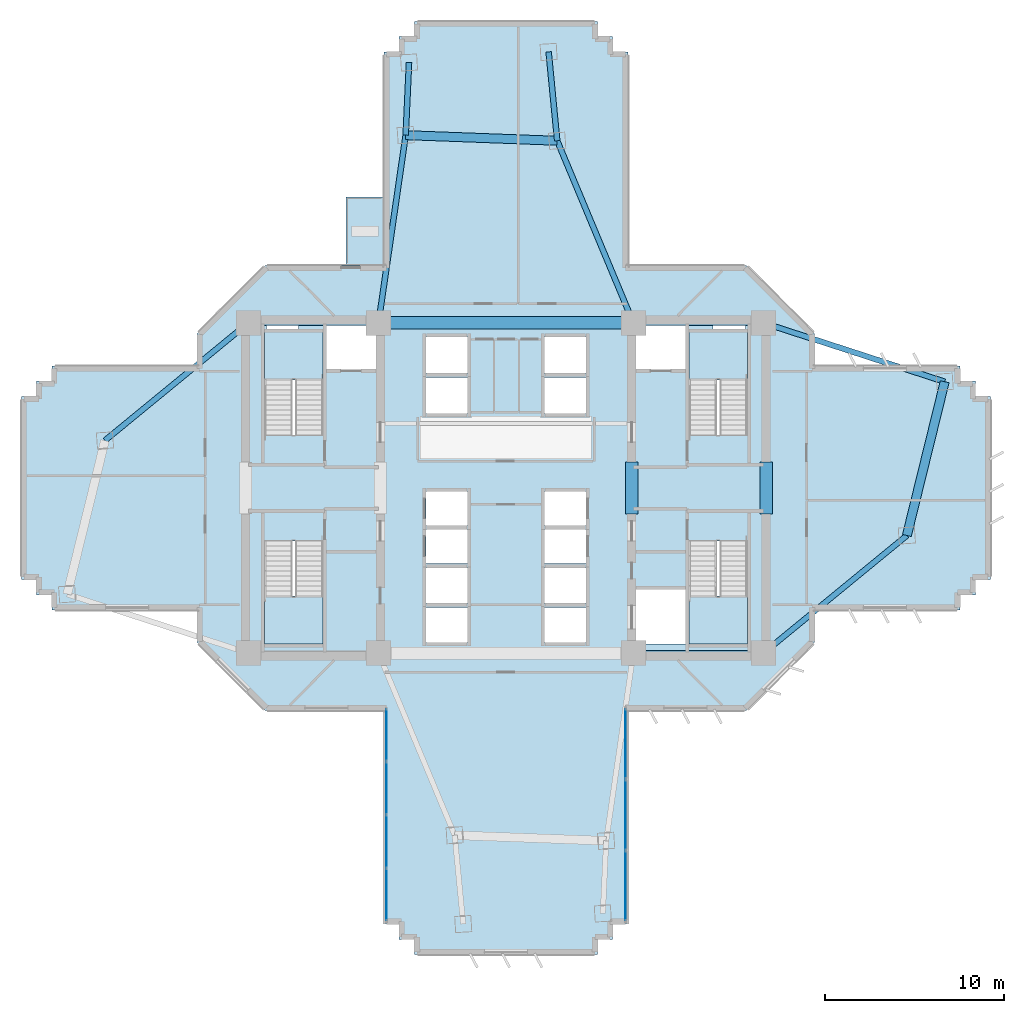
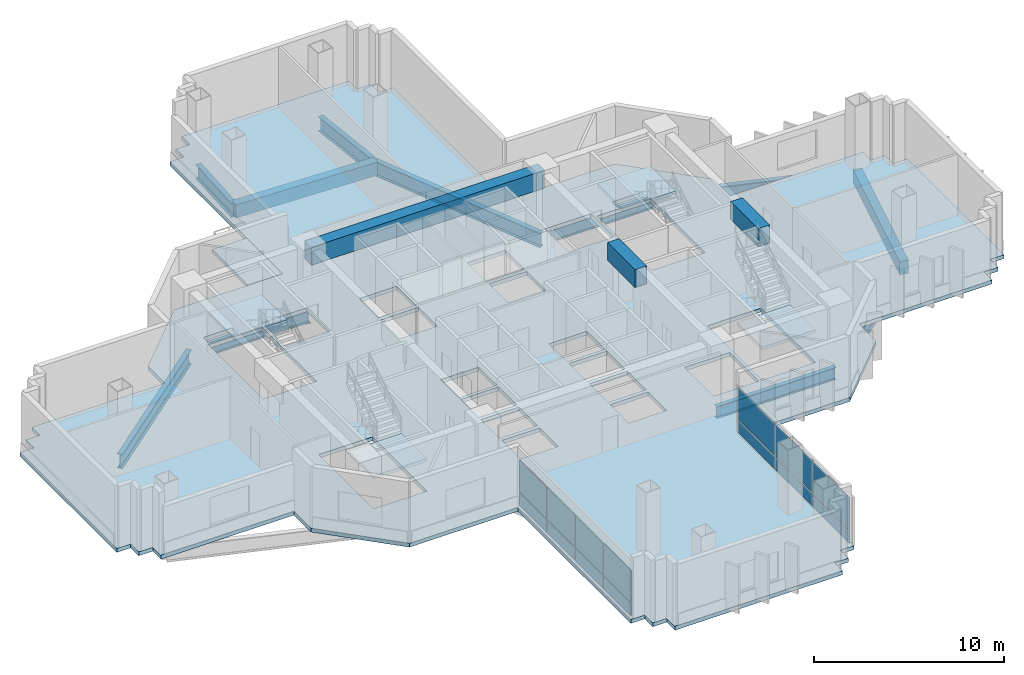
# One storey, part 4 of 14: 15 beams, 14 plates, 6 slabs, 6 elements without a shape of their own.
"""IFC4 building model written with IfcOpenShell, lengths in metres."""

from ifc_helpers import new_model, si_unit, direction, frame, origin, origin_2d, place, context, subcontext, project, spatial, polyline, rectangle, i_section, outline, extrude, source, transform, mapped, material, layer, layer_set, material_profile, profile_set, type_object, element, aggregate, save


model = new_model("IFC4")

# Units and contexts
model_context = context("Model", 3, precision=1e-05, world=origin(), true_north=direction((0.0, 1.0)))
body_context = subcontext(model_context, "Body", "Model", "MODEL_VIEW")
ifc_project = project(units=[si_unit("LENGTHUNIT", "METRE"), si_unit("AREAUNIT", "SQUARE_METRE"), si_unit("VOLUMEUNIT", "CUBIC_METRE"), si_unit("PLANEANGLEUNIT", "RADIAN"), si_unit("MASSUNIT", "GRAM", prefix="KILO")], contexts=[model_context])

# Site, building, storey
site_placement = place(None, origin())
site = spatial("IfcSite", under=ifc_project, at=site_placement, CompositionType="ELEMENT")
building_placement = place(site_placement, origin())
building = spatial("IfcBuilding", under=site, at=building_placement, Name="Zahravan Cultural Tower", CompositionType="ELEMENT")
storey_placement = place(building_placement, frame((0.0, 0.0, 37.5)))
storey = spatial("IfcBuildingStorey", under=building, at=storey_placement, Name="L07", CompositionType="ELEMENT", Elevation=37.5)

# Beams
ifc_material_1 = material(Name="Concrete C50/60", Category="concrete")
ifc_material_profile_1 = material_profile(ifc_material_1, rectangle(XDim=0.699951171875, YDim=1.14990234375, at=origin_2d()), Name="RC700X1150")
ifc_profile_set_1 = profile_set([ifc_material_profile_1], Name="Concrete C50/60")
beam_type_1 = type_object("IfcBeamType", Name="BM-LN-RC700X1150", PredefinedType="LINTEL", material=ifc_profile_set_1)
shared_shape_1 = source(origin(), body_context, "Body", "SweptSolid", [
    extrude(rectangle(XDim=0.699951171875, YDim=1.14990234375, at=origin_2d()), origin(), (0.0, 0.0, 1.0), 14.2001953125),
])
beam_1_placement = place(storey_placement, frame((28.89990234375, 36.199951171875, 3.375), z_axis=(1.0, 0.0, 0.0), x_axis=(0.0, 1.0, 0.0)))
element("IfcBeam", 1, at=beam_1_placement, inside=storey, type_object=beam_type_1, Name="L07 Beam LN-L07-N", PredefinedType="LINTEL", context=body_context, shape_type="MappedRepresentation", body=[
    mapped(shared_shape_1, transform((0.0, 0.0, 0.0), x_axis=(1.0, 0.0, 0.0), y_axis=(0.0, 1.0, 0.0), z_axis=(0.0, 0.0, 1.0), scale=1.0)),
])
shared_shape_2 = source(origin(), body_context, "Body", "SweptSolid", [
    extrude(rectangle(XDim=0.699951171875, YDim=1.14990234375, at=origin_2d()), origin(), (0.0, 0.0, 1.0), 2.89990234375),
])
for number, where, z_axis, x_axis, name in (
    (2, (43.0, 25.550048828125, 3.375), (0.0, 1.0, 0.0), (-1.0, 0.0, 0.0), "L07 Beam LN-L07-PEW"),
    (3, (50.5, 25.550048828125, 3.375), (0.0, 1.0, 0.0), (-1.0, 0.0, 0.0), "L07 Beam LN-L07-PEE"),
):
    element("IfcBeam", number, at=place(storey_placement, frame(where, z_axis=z_axis, x_axis=x_axis)), inside=storey, type_object=beam_type_1, Name=name, PredefinedType="LINTEL", context=body_context, shape_type="MappedRepresentation", body=[
        mapped(shared_shape_2, transform((0.0, 0.0, 0.0), x_axis=(1.0, 0.0, 0.0), y_axis=(0.0, 1.0, 0.0), z_axis=(0.0, 0.0, 1.0), scale=1.0)),
    ])
ifc_material_2 = material(Name="Steel ASTM A992 Grade 50", Category="steel")
ifc_material_profile_2 = material_profile(ifc_material_2, i_section(OverallWidth=0.26611328125, OverallDepth=0.780029296875, WebThickness=0.0166015625, FlangeThickness=0.030029296875, FilletRadius=0.01904296875, at=origin_2d()), Name="W30X148")
ifc_profile_set_2 = profile_set([ifc_material_profile_2], Name="Steel ASTM A992 Grade 50")
beam_type_2 = type_object("IfcBeamType", Name="BM-G-W30X148", PredefinedType="BEAM", material=ifc_profile_set_2)
shared_shape_3 = source(origin(), body_context, "Body", "SweptSolid", [
    extrude(i_section(OverallWidth=0.26611328125, OverallDepth=0.780029296875, WebThickness=0.0166015625, FlangeThickness=0.030029296875, FilletRadius=0.01904296875, at=origin_2d()), origin(), (0.0, 0.0, 1.0), 7.25),
])
for number, where, z_axis, x_axis, name in (
    (4, (21.64990234375, 36.199951171875, -0.639892578125), (1.0, 0.0, 0.0), (0.0, 1.0, 0.0), "L07 Beam BG-L07-02"),
    (5, (43.10009765625, 17.800048828125, -0.639892578125), (1.0, 0.0, 0.0), (0.0, 1.0, 0.0), "L07 Beam BG-L07-04"),
    (6, (43.10009765625, 36.199951171875, -0.639892578125), (1.0, 0.0, 0.0), (0.0, 1.0, 0.0), "L07 Beam BG-L07-05"),
):
    element("IfcBeam", number, at=place(storey_placement, frame(where, z_axis=z_axis, x_axis=x_axis)), inside=storey, type_object=beam_type_2, Name=name, PredefinedType="BEAM", context=body_context, shape_type="MappedRepresentation", body=[
        mapped(shared_shape_3, transform((0.0, 0.0, 0.0), x_axis=(1.0, 0.0, 0.0), y_axis=(0.0, 1.0, 0.0), z_axis=(0.0, 0.0, 1.0), scale=1.0)),
    ])
ifc_material_profile_3 = material_profile(ifc_material_2, i_section(OverallWidth=0.30908203125, OverallDepth=0.931884765625, WebThickness=0.02099609375, FlangeThickness=0.034423828125, FilletRadius=0.02392578125, at=origin_2d()), Name="W36X210")
ifc_profile_set_3 = profile_set([ifc_material_profile_3], Name="Steel ASTM A992 Grade 50")
beam_type_3 = type_object("IfcBeamType", Name="BM-G-W36X210", PredefinedType="BEAM", material=ifc_profile_set_3)
shared_shape_4 = source(origin(), body_context, "Body", "SweptSolid", [
    extrude(i_section(OverallWidth=0.30908203125, OverallDepth=0.931884765625, WebThickness=0.02099609375, FlangeThickness=0.034423828125, FilletRadius=0.02392578125, at=origin_2d()), origin(), (0.0, 0.0, 1.0), 10.615966796875),
])
beam_2_placement = place(storey_placement, frame((50.35009765625, 36.199951171875, -0.716064453125), z_axis=(0.951063640083, -0.30899506875, 0.0), x_axis=(0.30899506875, 0.951063640083, 0.0)))
element("IfcBeam", 7, at=beam_2_placement, inside=storey, type_object=beam_type_3, Name="L07 Beam BG-L07-11", PredefinedType="BEAM", context=body_context, shape_type="MappedRepresentation", body=[
    mapped(shared_shape_4, transform((0.0, 0.0, 0.0), x_axis=(1.0, 0.0, 0.0), y_axis=(0.0, 1.0, 0.0), z_axis=(0.0, 0.0, 1.0), scale=1.0)),
])
shared_shape_5 = source(origin(), body_context, "Body", "SweptSolid", [
    extrude(i_section(OverallWidth=0.30908203125, OverallDepth=0.931884765625, WebThickness=0.02099609375, FlangeThickness=0.034423828125, FilletRadius=0.02392578125, at=origin_2d()), origin(), (0.0, 0.0, 1.0), 10.997802734375),
])
beam_3_placement = place(storey_placement, frame((43.10009765625, 36.199951171875, -0.716064453125), z_axis=(-0.385775211449, 0.922592806297, 0.0), x_axis=(-0.922592806297, -0.385775211449, 0.0)))
element("IfcBeam", 8, at=beam_3_placement, inside=storey, type_object=beam_type_3, Name="L07 Beam BG-L07-12", PredefinedType="BEAM", context=body_context, shape_type="MappedRepresentation", body=[
    mapped(shared_shape_5, transform((0.0, 0.0, 0.0), x_axis=(1.0, 0.0, 0.0), y_axis=(0.0, 1.0, 0.0), z_axis=(0.0, 0.0, 1.0), scale=1.0)),
])
shared_shape_6 = source(origin(), body_context, "Body", "SweptSolid", [
    extrude(i_section(OverallWidth=0.30908203125, OverallDepth=0.931884765625, WebThickness=0.02099609375, FlangeThickness=0.034423828125, FilletRadius=0.02392578125, at=origin_2d()), origin(), (0.0, 0.0, 1.0), 10.5673828125),
])
beam_4_placement = place(storey_placement, frame((28.89990234375, 36.199951171875, -0.716064453125), z_axis=(0.143377913539, 0.989668011966, 0.0), x_axis=(-0.989668011966, 0.143377913539, 0.0)))
element("IfcBeam", 9, at=beam_4_placement, inside=storey, type_object=beam_type_3, Name="L07 Beam BG-L07-13", PredefinedType="BEAM", context=body_context, shape_type="MappedRepresentation", body=[
    mapped(shared_shape_6, transform((0.0, 0.0, 0.0), x_axis=(1.0, 0.0, 0.0), y_axis=(0.0, 1.0, 0.0), z_axis=(0.0, 0.0, 1.0), scale=1.0)),
])
shared_shape_7 = source(origin(), body_context, "Body", "SweptSolid", [
    extrude(i_section(OverallWidth=0.30908203125, OverallDepth=0.931884765625, WebThickness=0.02099609375, FlangeThickness=0.034423828125, FilletRadius=0.02392578125, at=origin_2d()), origin(), (0.0, 0.0, 1.0), 10.33203125),
])
for number, where, z_axis, x_axis, name in (
    (10, (50.35009765625, 17.800048828125, -0.716064453125), (0.773231409473, 0.634123952713, 0.0), (-0.634123952713, 0.773231409473, 0.0), "L07 Beam BG-L07-10"),
    (11, (21.64990234375, 36.199951171875, -0.716064453125), (-0.773231409473, -0.634123952713, 0.0), (0.634123952713, -0.773231409473, 0.0), "L07 Beam BG-L07-14"),
):
    element("IfcBeam", number, at=place(storey_placement, frame(where, z_axis=z_axis, x_axis=x_axis)), inside=storey, type_object=beam_type_3, Name=name, PredefinedType="BEAM", context=body_context, shape_type="MappedRepresentation", body=[
        mapped(shared_shape_7, transform((0.0, 0.0, 0.0), x_axis=(1.0, 0.0, 0.0), y_axis=(0.0, 1.0, 0.0), z_axis=(0.0, 0.0, 1.0), scale=1.0)),
    ])
shared_shape_8 = source(origin(), body_context, "Body", "SweptSolid", [
    extrude(i_section(OverallWidth=0.30908203125, OverallDepth=0.931884765625, WebThickness=0.02099609375, FlangeThickness=0.034423828125, FilletRadius=0.02392578125, at=origin_2d()), origin(), (0.0, 0.0, 1.0), 4.973876953125),
])
beam_5_placement = place(storey_placement, frame((38.857421875, 46.346435546875, -0.716064453125), z_axis=(-0.096154779131, 0.995366394073, 0.0), x_axis=(-0.995366394073, -0.096154779131, 0.0)))
element("IfcBeam", 12, at=beam_5_placement, inside=storey, type_object=beam_type_3, Name="L07 Beam BG-L07-15", PredefinedType="BEAM", context=body_context, shape_type="MappedRepresentation", body=[
    mapped(shared_shape_8, transform((0.0, 0.0, 0.0), x_axis=(1.0, 0.0, 0.0), y_axis=(0.0, 1.0, 0.0), z_axis=(0.0, 0.0, 1.0), scale=1.0)),
])
shared_shape_9 = source(origin(), body_context, "Body", "SweptSolid", [
    extrude(i_section(OverallWidth=0.30908203125, OverallDepth=0.931884765625, WebThickness=0.02099609375, FlangeThickness=0.034423828125, FilletRadius=0.02392578125, at=origin_2d()), origin(), (0.0, 0.0, 1.0), 4.0537109375),
])
beam_6_placement = place(storey_placement, frame((30.4150390625, 46.658203125, -0.716064453125), z_axis=(0.045770994677, 0.998951958828, 0.0), x_axis=(-0.998951958828, 0.045770994677, 0.0)))
element("IfcBeam", 13, at=beam_6_placement, inside=storey, type_object=beam_type_3, Name="L07 Beam BG-L07-16", PredefinedType="BEAM", context=body_context, shape_type="MappedRepresentation", body=[
    mapped(shared_shape_9, transform((0.0, 0.0, 0.0), x_axis=(1.0, 0.0, 0.0), y_axis=(0.0, 1.0, 0.0), z_axis=(0.0, 0.0, 1.0), scale=1.0)),
])
ifc_material_profile_4 = material_profile(ifc_material_1, rectangle(XDim=0.5, YDim=0.85009765625, at=origin_2d()), Name="RC500X850")
ifc_profile_set_4 = profile_set([ifc_material_profile_4], Name="Concrete C50/60")
beam_type_4 = type_object("IfcBeamType", Name="BM-SP-RC500X850", PredefinedType="SPANDREL", material=ifc_profile_set_4)
shared_shape_10 = source(origin(), body_context, "Body", "SweptSolid", [
    extrude(rectangle(XDim=0.5, YDim=0.85009765625, at=origin_2d()), origin(), (0.0, 0.0, 1.0), 8.4482421875),
])
beam_7_placement = place(storey_placement, frame((38.857421875, 46.346435546875, -0.675048828125), z_axis=(-0.999318826256, 0.036903705643, 0.0), x_axis=(-0.036903705643, -0.999318826256, 0.0)))
element("IfcBeam", 14, at=beam_7_placement, inside=storey, type_object=beam_type_4, Name="L07 Beam SP-L07-21", PredefinedType="SPANDREL", context=body_context, shape_type="MappedRepresentation", body=[
    mapped(shared_shape_10, transform((0.0, 0.0, 0.0), x_axis=(1.0, 0.0, 0.0), y_axis=(0.0, 1.0, 0.0), z_axis=(0.0, 0.0, 1.0), scale=1.0)),
])
shared_shape_11 = source(origin(), body_context, "Body", "SweptSolid", [
    extrude(rectangle(XDim=0.5, YDim=0.85009765625, at=origin_2d()), origin(), (0.0, 0.0, 1.0), 8.8232421875),
])
beam_8_placement = place(storey_placement, frame((58.339111328125, 24.351806640625, -0.675048828125), z_axis=(0.238848860516, 0.971056755206, 0.0), x_axis=(-0.971056755206, 0.238848860516, 0.0)))
element("IfcBeam", 15, at=beam_8_placement, inside=storey, type_object=beam_type_4, Name="L07 Beam SP-L07-20", PredefinedType="SPANDREL", context=body_context, shape_type="MappedRepresentation", body=[
    mapped(shared_shape_11, transform((0.0, 0.0, 0.0), x_axis=(1.0, 0.0, 0.0), y_axis=(0.0, 1.0, 0.0), z_axis=(0.0, 0.0, 1.0), scale=1.0)),
])

# Stair, slab
ifc_material_3 = material(Name="Concrete C45/55", Category="concrete")
stair_type = type_object("IfcStairType", Name="STR-DL-1550-420", PredefinedType="HALF_TURN_STAIR", material=ifc_material_3)
stair_1_placement = place(storey_placement, origin())
stair_1 = element("IfcStair", 16, at=stair_1_placement, inside=storey, type_object=stair_type, Name="L07 West Core North Exit Stair ST-W1", PredefinedType="HALF_TURN_STAIR")
ifc_layer_1 = layer(ifc_material_3, 0.199951171875)
ifc_layer_set_1 = layer_set([ifc_layer_1], Name="Concrete C45/55")
slab_type_1 = type_object("IfcSlabType", Name="SL-STAIR-LND200", PredefinedType="LANDING", material=ifc_layer_set_1)
slab_1_placement = place(storey_placement, frame((0.0, 0.0, 1.89990234375)))
slab_1 = element("IfcSlab", 17, at=slab_1_placement, type_object=slab_type_1, Name="ST-W1 landing 1", PredefinedType="LANDING", context=body_context, shape_type="SweptSolid", body=[
    extrude(outline(polyline([(25.800048828125, 33.030029296875), (25.800048828125, 35.699951171875), (22.550048828125, 35.699951171875), (22.550048828125, 33.030029296875), (25.800048828125, 33.030029296875)])), origin(), (0.0, 0.0, 1.0), 0.2001953125),
])
aggregate(stair_1, [slab_1])

stair_2_placement = place(storey_placement, origin())
stair_2 = element("IfcStair", 18, at=stair_2_placement, inside=storey, type_object=stair_type, Name="L07 West Core South Exit Stair ST-W2", PredefinedType="HALF_TURN_STAIR")
slab_2_placement = place(storey_placement, frame((0.0, 0.0, 1.89990234375)))
slab_2 = element("IfcSlab", 19, at=slab_2_placement, type_object=slab_type_1, Name="ST-W2 landing 1", PredefinedType="LANDING", context=body_context, shape_type="SweptSolid", body=[
    extrude(outline(polyline([(22.550048828125, 20.969970703125), (22.550048828125, 18.300048828125), (25.800048828125, 18.300048828125), (25.800048828125, 20.969970703125), (22.550048828125, 20.969970703125)])), origin(), (0.0, 0.0, 1.0), 0.2001953125),
])
aggregate(stair_2, [slab_2])

stair_3_placement = place(storey_placement, origin())
stair_3 = element("IfcStair", 20, at=stair_3_placement, inside=storey, type_object=stair_type, Name="L07 East Core North Exit Stair ST-E1", PredefinedType="HALF_TURN_STAIR")
slab_3_placement = place(storey_placement, frame((0.0, 0.0, 1.89990234375)))
slab_3 = element("IfcSlab", 21, at=slab_3_placement, type_object=slab_type_1, Name="ST-E1 landing 1", PredefinedType="LANDING", context=body_context, shape_type="SweptSolid", body=[
    extrude(outline(polyline([(49.449951171875, 33.030029296875), (49.449951171875, 35.699951171875), (46.199951171875, 35.699951171875), (46.199951171875, 33.030029296875), (49.449951171875, 33.030029296875)])), origin(), (0.0, 0.0, 1.0), 0.2001953125),
])
aggregate(stair_3, [slab_3])

stair_4_placement = place(storey_placement, origin())
stair_4 = element("IfcStair", 22, at=stair_4_placement, inside=storey, type_object=stair_type, Name="L07 East Core South Exit Stair ST-E2", PredefinedType="HALF_TURN_STAIR")
slab_4_placement = place(storey_placement, frame((0.0, 0.0, 1.89990234375)))
slab_4 = element("IfcSlab", 23, at=slab_4_placement, type_object=slab_type_1, Name="ST-E2 landing 1", PredefinedType="LANDING", context=body_context, shape_type="SweptSolid", body=[
    extrude(outline(polyline([(46.199951171875, 20.969970703125), (46.199951171875, 18.300048828125), (49.449951171875, 18.300048828125), (49.449951171875, 20.969970703125), (46.199951171875, 20.969970703125)])), origin(), (0.0, 0.0, 1.0), 0.2001953125),
])
aggregate(stair_4, [slab_4])

# Slabs
ifc_material_4 = material(Name="Concrete C40/50", Category="concrete")
ifc_layer_2 = layer(ifc_material_4, 0.239990234375)
ifc_layer_set_2 = layer_set([ifc_layer_2], Name="Concrete C40/50")
slab_type_2 = type_object("IfcSlabType", Name="SL-TERR-240", PredefinedType="FLOOR", material=ifc_layer_set_2)
slab_5_placement = place(storey_placement, frame((0.0, 0.0, -0.239990234375)))
element("IfcSlab", 24, at=slab_5_placement, inside=storey, type_object=slab_type_2, Name="L07 Planted Sculpture Terrace NW", PredefinedType="FLOOR", context=body_context, shape_type="SweptSolid", body=[
    extrude(outline(polyline([(27.10009765625, 43.199951171875), (27.10009765625, 39.405029296875), (29.195068359375, 39.405029296875), (29.195068359375, 43.199951171875), (27.10009765625, 43.199951171875)])), origin(), (0.0, 0.0, 1.0), 0.239990234375),
])
ifc_layer_3 = layer(ifc_material_4, 0.25)
ifc_layer_set_3 = layer_set([ifc_layer_3], Name="Concrete C40/50")
slab_type_3 = type_object("IfcSlabType", Name="SL-TYP-250", PredefinedType="FLOOR", material=ifc_layer_set_3)
slab_6_placement = place(storey_placement, frame((0.0, 0.0, -0.25)))
element("IfcSlab", 25, at=slab_6_placement, inside=storey, type_object=slab_type_3, Name="L07 Structural Floor Slab", PredefinedType="FLOOR", context=body_context, shape_type="SweptSolid", body=[
    extrude(outline(polyline([(53.199951171875, 33.800048828125), (53.199951171875, 35.60009765625), (49.39990234375, 39.39990234375), (42.800048828125, 39.39990234375), (42.800048828125, 51.300048828125), (41.949951171875, 51.300048828125), (41.949951171875, 52.14990234375), (41.10009765625, 52.14990234375), (41.10009765625, 53.0), (30.89990234375, 53.0), (30.89990234375, 52.14990234375), (30.050048828125, 52.14990234375), (30.050048828125, 51.300048828125), (29.199951171875, 51.300048828125), (29.199951171875, 39.39990234375), (22.60009765625, 39.39990234375), (18.800048828125, 35.60009765625), (18.800048828125, 33.800048828125), (10.699951171875, 33.800048828125), (10.699951171875, 32.949951171875), (9.85009765625, 32.949951171875), (9.85009765625, 32.10009765625), (9.0, 32.10009765625), (9.0, 21.89990234375), (9.85009765625, 21.89990234375), (9.85009765625, 21.050048828125), (10.699951171875, 21.050048828125), (10.699951171875, 20.199951171875), (18.800048828125, 20.199951171875), (18.800048828125, 18.39990234375), (22.60009765625, 14.60009765625), (29.199951171875, 14.60009765625), (29.199951171875, 2.699951171875), (30.050048828125, 2.699951171875), (30.050048828125, 1.85009765625), (30.89990234375, 1.85009765625), (30.89990234375, 1.0), (41.10009765625, 1.0), (41.10009765625, 1.85009765625), (41.949951171875, 1.85009765625), (41.949951171875, 2.699951171875), (42.800048828125, 2.699951171875), (42.800048828125, 14.60009765625), (49.39990234375, 14.60009765625), (53.199951171875, 18.39990234375), (53.199951171875, 20.199951171875), (61.300048828125, 20.199951171875), (61.300048828125, 21.050048828125), (62.14990234375, 21.050048828125), (62.14990234375, 21.89990234375), (63.0, 21.89990234375), (63.0, 32.10009765625), (62.14990234375, 32.10009765625), (62.14990234375, 32.949951171875), (61.300048828125, 32.949951171875), (61.300048828125, 33.800048828125), (53.199951171875, 33.800048828125)]), holes=[polyline([(22.550048828125, 29.949951171875), (22.550048828125, 35.699951171875), (25.800048828125, 35.699951171875), (25.800048828125, 29.949951171875), (22.550048828125, 29.949951171875)]), polyline([(22.550048828125, 18.300048828125), (22.550048828125, 24.050048828125), (25.800048828125, 24.050048828125), (25.800048828125, 18.300048828125), (22.550048828125, 18.300048828125)]), polyline([(46.199951171875, 29.949951171875), (46.199951171875, 35.699951171875), (49.449951171875, 35.699951171875), (49.449951171875, 29.949951171875), (46.199951171875, 29.949951171875)]), polyline([(46.199951171875, 18.300048828125), (46.199951171875, 24.050048828125), (49.449951171875, 24.050048828125), (49.449951171875, 18.300048828125), (46.199951171875, 18.300048828125)]), polyline([(26.0, 33.60009765625), (26.0, 36.050048828125), (28.75, 36.050048828125), (28.75, 33.60009765625), (26.0, 33.60009765625)]), polyline([(43.25, 33.60009765625), (43.25, 36.050048828125), (46.0, 36.050048828125), (46.0, 33.60009765625), (43.25, 33.60009765625)]), polyline([(43.25, 18.300048828125), (43.25, 21.35009765625), (46.0, 21.35009765625), (46.0, 18.300048828125), (43.25, 18.300048828125)]), polyline([(31.550048828125, 33.39990234375), (31.550048828125, 35.39990234375), (33.85009765625, 35.39990234375), (33.85009765625, 33.39990234375), (31.550048828125, 33.39990234375)]), polyline([(31.550048828125, 31.14990234375), (31.550048828125, 33.14990234375), (33.85009765625, 33.14990234375), (33.85009765625, 31.14990234375), (31.550048828125, 31.14990234375)]), polyline([(38.14990234375, 33.39990234375), (38.14990234375, 35.39990234375), (40.449951171875, 35.39990234375), (40.449951171875, 33.39990234375), (38.14990234375, 33.39990234375)]), polyline([(38.14990234375, 31.14990234375), (38.14990234375, 33.14990234375), (40.449951171875, 33.14990234375), (40.449951171875, 31.14990234375), (38.14990234375, 31.14990234375)]), polyline([(31.550048828125, 20.60009765625), (31.550048828125, 22.550048828125), (33.85009765625, 22.550048828125), (33.85009765625, 20.60009765625), (31.550048828125, 20.60009765625)]), polyline([(31.550048828125, 18.39990234375), (31.550048828125, 20.35009765625), (33.85009765625, 20.35009765625), (33.85009765625, 18.39990234375), (31.550048828125, 18.39990234375)]), polyline([(38.14990234375, 20.60009765625), (38.14990234375, 22.550048828125), (40.449951171875, 22.550048828125), (40.449951171875, 20.60009765625), (38.14990234375, 20.60009765625)]), polyline([(38.14990234375, 18.39990234375), (38.14990234375, 20.35009765625), (40.449951171875, 20.35009765625), (40.449951171875, 18.39990234375), (38.14990234375, 18.39990234375)]), polyline([(31.550048828125, 24.89990234375), (31.550048828125, 26.800048828125), (33.85009765625, 26.800048828125), (33.85009765625, 24.89990234375), (31.550048828125, 24.89990234375)]), polyline([(31.550048828125, 22.800048828125), (31.550048828125, 24.699951171875), (33.85009765625, 24.699951171875), (33.85009765625, 22.800048828125), (31.550048828125, 22.800048828125)]), polyline([(38.14990234375, 24.89990234375), (38.14990234375, 26.800048828125), (40.449951171875, 26.800048828125), (40.449951171875, 24.89990234375), (38.14990234375, 24.89990234375)]), polyline([(38.14990234375, 22.800048828125), (38.14990234375, 24.699951171875), (40.449951171875, 24.699951171875), (40.449951171875, 22.800048828125), (38.14990234375, 22.800048828125)]), polyline([(22.64990234375, 35.800048828125), (22.64990234375, 36.419921875), (24.449951171875, 36.419921875), (24.449951171875, 35.800048828125), (22.64990234375, 35.800048828125)]), polyline([(47.550048828125, 35.800048828125), (47.550048828125, 36.419921875), (49.35009765625, 36.419921875), (49.35009765625, 35.800048828125), (47.550048828125, 35.800048828125)])]), origin(), (0.0, 0.0, 1.0), 0.25),
])

# Curtain wall, plates
ifc_material_5 = material(Name="Anodised bronze-aluminium mullion", Category="aluminium")
ifc_layer_4 = layer(ifc_material_5, 0.199951171875)
ifc_layer_set_4 = layer_set([ifc_layer_4], Name="Anodised bronze-aluminium mullion")
curtain_wall_type_1 = type_object("IfcCurtainWallType", Name="CW-SYS-2", PredefinedType="USERDEFINED", material=ifc_layer_set_4)
curtain_wall_1_placement = place(storey_placement, origin())
curtain_wall_1 = element("IfcCurtainWall", 26, at=curtain_wall_1_placement, inside=storey, type_object=curtain_wall_type_1, Name="L07 Recessed Curtain Wall CW-2.1", ObjectType="RECESSED GLAZING", PredefinedType="USERDEFINED")
ifc_material_6 = material(Name="Low-E solar-control double glazing", Category="glass")
ifc_layer_5 = layer(ifc_material_6, 0.030029296875)
ifc_layer_set_5 = layer_set([ifc_layer_5], Name="Low-E solar-control double glazing")
plate_type_1 = type_object("IfcPlateType", Name="CWP-CW-2", PredefinedType="CURTAIN_PANEL", material=ifc_layer_set_5)
shared_shape_12 = source(origin(), body_context, "Body", "SweptSolid", [
    extrude(rectangle(XDim=3.854248046875, YDim=0.030029296875, at=origin_2d()), origin(), (0.0, 0.0, 1.0), 0.78759765625),
])
plate_1_placement = place(storey_placement, frame((42.659912109375, 12.738037109375, 0.074951171875), z_axis=(0.0, 0.0, 1.0), x_axis=(0.0, -1.0, 0.0)))
plate_1 = element("IfcPlate", 27, at=plate_1_placement, type_object=plate_type_1, Name="CW-2 panel 1.1", PredefinedType="CURTAIN_PANEL", context=body_context, shape_type="MappedRepresentation", body=[
    mapped(shared_shape_12, transform((0.0, 0.0, 0.0), x_axis=(1.0, 0.0, 0.0), y_axis=(0.0, 1.0, 0.0), z_axis=(0.0, 0.0, 1.0), scale=1.0)),
])
plate_2_placement = place(storey_placement, frame((42.659912109375, 4.842041015625, 0.074951171875), z_axis=(0.0, 0.0, 1.0), x_axis=(0.0, -1.0, 0.0)))
plate_2 = element("IfcPlate", 28, at=plate_2_placement, type_object=plate_type_1, Name="CW-2 panel 3.1", PredefinedType="CURTAIN_PANEL", context=body_context, shape_type="MappedRepresentation", body=[
    mapped(shared_shape_12, transform((0.0, 0.0, 0.0), x_axis=(1.0, 0.0, 0.0), y_axis=(0.0, 1.0, 0.0), z_axis=(0.0, 0.0, 1.0), scale=1.0)),
])
shared_shape_13 = source(origin(), body_context, "Body", "SweptSolid", [
    extrude(rectangle(XDim=3.854248046875, YDim=0.030029296875, at=origin_2d()), origin(), (0.0, 0.0, 1.0), 2.0576171875),
])
plate_3_placement = place(storey_placement, frame((42.659912109375, 12.738037109375, 0.9375), z_axis=(0.0, 0.0, 1.0), x_axis=(0.0, -1.0, 0.0)))
plate_3 = element("IfcPlate", 29, at=plate_3_placement, type_object=plate_type_1, Name="CW-2 panel 1.2", PredefinedType="CURTAIN_PANEL", context=body_context, shape_type="MappedRepresentation", body=[
    mapped(shared_shape_13, transform((0.0, 0.0, 0.0), x_axis=(1.0, 0.0, 0.0), y_axis=(0.0, 1.0, 0.0), z_axis=(0.0, 0.0, 1.0), scale=1.0)),
])
plate_4_placement = place(storey_placement, frame((42.659912109375, 4.842041015625, 0.9375), z_axis=(0.0, 0.0, 1.0), x_axis=(0.0, -1.0, 0.0)))
plate_4 = element("IfcPlate", 30, at=plate_4_placement, type_object=plate_type_1, Name="CW-2 panel 3.2", PredefinedType="CURTAIN_PANEL", context=body_context, shape_type="MappedRepresentation", body=[
    mapped(shared_shape_13, transform((0.0, 0.0, 0.0), x_axis=(1.0, 0.0, 0.0), y_axis=(0.0, 1.0, 0.0), z_axis=(0.0, 0.0, 1.0), scale=1.0)),
])
shared_shape_14 = source(origin(), body_context, "Body", "SweptSolid", [
    extrude(rectangle(XDim=3.8916015625, YDim=0.030029296875, at=origin_2d()), origin(), (0.0, 0.0, 1.0), 0.78759765625),
])
plate_5_placement = place(storey_placement, frame((42.659912109375, 8.7900390625, 0.074951171875), z_axis=(0.0, 0.0, 1.0), x_axis=(0.0, -1.0, 0.0)))
plate_5 = element("IfcPlate", 31, at=plate_5_placement, type_object=plate_type_1, Name="CW-2 panel 2.1", PredefinedType="CURTAIN_PANEL", context=body_context, shape_type="MappedRepresentation", body=[
    mapped(shared_shape_14, transform((0.0, 0.0, 0.0), x_axis=(1.0, 0.0, 0.0), y_axis=(0.0, 1.0, 0.0), z_axis=(0.0, 0.0, 1.0), scale=1.0)),
])
shared_shape_15 = source(origin(), body_context, "Body", "SweptSolid", [
    extrude(rectangle(XDim=3.8916015625, YDim=0.030029296875, at=origin_2d()), origin(), (0.0, 0.0, 1.0), 2.0576171875),
])
plate_6_placement = place(storey_placement, frame((42.659912109375, 8.7900390625, 0.9375), z_axis=(0.0, 0.0, 1.0), x_axis=(0.0, -1.0, 0.0)))
plate_6 = element("IfcPlate", 32, at=plate_6_placement, type_object=plate_type_1, Name="CW-2 panel 2.2", PredefinedType="CURTAIN_PANEL", context=body_context, shape_type="MappedRepresentation", body=[
    mapped(shared_shape_15, transform((0.0, 0.0, 0.0), x_axis=(1.0, 0.0, 0.0), y_axis=(0.0, 1.0, 0.0), z_axis=(0.0, 0.0, 1.0), scale=1.0)),
])
aggregate(curtain_wall_1, [plate_1, plate_3, plate_5, plate_6, plate_2, plate_4])

ifc_layer_6 = layer(ifc_material_5, 0.179931640625)
ifc_layer_set_6 = layer_set([ifc_layer_6], Name="Anodised bronze-aluminium mullion")
curtain_wall_type_2 = type_object("IfcCurtainWallType", Name="CW-SYS-3", PredefinedType="USERDEFINED", material=ifc_layer_set_6)
curtain_wall_2_placement = place(storey_placement, origin())
curtain_wall_2 = element("IfcCurtainWall", 33, at=curtain_wall_2_placement, inside=storey, type_object=curtain_wall_type_2, Name="L07 Recessed Curtain Wall CW-3.2", ObjectType="RECESSED GLAZING", PredefinedType="USERDEFINED")
ifc_layer_7 = layer(ifc_material_6, 0.028076171875)
ifc_layer_set_7 = layer_set([ifc_layer_7], Name="Low-E solar-control double glazing")
plate_type_2 = type_object("IfcPlateType", Name="CWP-CW-3", PredefinedType="CURTAIN_PANEL", material=ifc_layer_set_7)
shared_shape_16 = source(origin(), body_context, "Body", "SweptSolid", [
    extrude(rectangle(XDim=2.8701171875, YDim=0.028076171875, at=origin_2d()), origin(), (0.0, 0.0, 1.0), 0.794921875),
])
plate_7_placement = place(storey_placement, frame((29.340087890625, 4.344970703125, 0.070068359375), z_axis=(0.0, 0.0, 1.0), x_axis=(0.0, 1.0, 0.0)))
plate_7 = element("IfcPlate", 34, at=plate_7_placement, type_object=plate_type_2, Name="CW-3 panel 1.1", PredefinedType="CURTAIN_PANEL", context=body_context, shape_type="MappedRepresentation", body=[
    mapped(shared_shape_16, transform((0.0, 0.0, 0.0), x_axis=(1.0, 0.0, 0.0), y_axis=(0.0, 1.0, 0.0), z_axis=(0.0, 0.0, 1.0), scale=1.0)),
])
plate_8_placement = place(storey_placement, frame((29.340087890625, 13.235107421875, 0.070068359375), z_axis=(0.0, 0.0, 1.0), x_axis=(0.0, 1.0, 0.0)))
plate_8 = element("IfcPlate", 35, at=plate_8_placement, type_object=plate_type_2, Name="CW-3 panel 4.1", PredefinedType="CURTAIN_PANEL", context=body_context, shape_type="MappedRepresentation", body=[
    mapped(shared_shape_16, transform((0.0, 0.0, 0.0), x_axis=(1.0, 0.0, 0.0), y_axis=(0.0, 1.0, 0.0), z_axis=(0.0, 0.0, 1.0), scale=1.0)),
])
shared_shape_17 = source(origin(), body_context, "Body", "SweptSolid", [
    extrude(rectangle(XDim=2.8701171875, YDim=0.028076171875, at=origin_2d()), origin(), (0.0, 0.0, 1.0), 2.06494140625),
])
plate_9_placement = place(storey_placement, frame((29.340087890625, 4.344970703125, 0.93505859375), z_axis=(0.0, 0.0, 1.0), x_axis=(0.0, 1.0, 0.0)))
plate_9 = element("IfcPlate", 36, at=plate_9_placement, type_object=plate_type_2, Name="CW-3 panel 1.2", PredefinedType="CURTAIN_PANEL", context=body_context, shape_type="MappedRepresentation", body=[
    mapped(shared_shape_17, transform((0.0, 0.0, 0.0), x_axis=(1.0, 0.0, 0.0), y_axis=(0.0, 1.0, 0.0), z_axis=(0.0, 0.0, 1.0), scale=1.0)),
])
plate_10_placement = place(storey_placement, frame((29.340087890625, 13.235107421875, 0.93505859375), z_axis=(0.0, 0.0, 1.0), x_axis=(0.0, 1.0, 0.0)))
plate_10 = element("IfcPlate", 37, at=plate_10_placement, type_object=plate_type_2, Name="CW-3 panel 4.2", PredefinedType="CURTAIN_PANEL", context=body_context, shape_type="MappedRepresentation", body=[
    mapped(shared_shape_17, transform((0.0, 0.0, 0.0), x_axis=(1.0, 0.0, 0.0), y_axis=(0.0, 1.0, 0.0), z_axis=(0.0, 0.0, 1.0), scale=1.0)),
])
shared_shape_18 = source(origin(), body_context, "Body", "SweptSolid", [
    extrude(rectangle(XDim=2.905029296875, YDim=0.028076171875, at=origin_2d()), origin(), (0.0, 0.0, 1.0), 0.794921875),
])
plate_11_placement = place(storey_placement, frame((29.340087890625, 7.302490234375, 0.070068359375), z_axis=(0.0, 0.0, 1.0), x_axis=(0.0, 1.0, 0.0)))
plate_11 = element("IfcPlate", 38, at=plate_11_placement, type_object=plate_type_2, Name="CW-3 panel 2.1", PredefinedType="CURTAIN_PANEL", context=body_context, shape_type="MappedRepresentation", body=[
    mapped(shared_shape_18, transform((0.0, 0.0, 0.0), x_axis=(1.0, 0.0, 0.0), y_axis=(0.0, 1.0, 0.0), z_axis=(0.0, 0.0, 1.0), scale=1.0)),
])
plate_12_placement = place(storey_placement, frame((29.340087890625, 10.277587890625, 0.070068359375), z_axis=(0.0, 0.0, 1.0), x_axis=(0.0, 1.0, 0.0)))
plate_12 = element("IfcPlate", 39, at=plate_12_placement, type_object=plate_type_2, Name="CW-3 panel 3.1", PredefinedType="CURTAIN_PANEL", context=body_context, shape_type="MappedRepresentation", body=[
    mapped(shared_shape_18, transform((0.0, 0.0, 0.0), x_axis=(1.0, 0.0, 0.0), y_axis=(0.0, 1.0, 0.0), z_axis=(0.0, 0.0, 1.0), scale=1.0)),
])
shared_shape_19 = source(origin(), body_context, "Body", "SweptSolid", [
    extrude(rectangle(XDim=2.905029296875, YDim=0.028076171875, at=origin_2d()), origin(), (0.0, 0.0, 1.0), 2.06494140625),
])
plate_13_placement = place(storey_placement, frame((29.340087890625, 7.302490234375, 0.93505859375), z_axis=(0.0, 0.0, 1.0), x_axis=(0.0, 1.0, 0.0)))
plate_13 = element("IfcPlate", 40, at=plate_13_placement, type_object=plate_type_2, Name="CW-3 panel 2.2", PredefinedType="CURTAIN_PANEL", context=body_context, shape_type="MappedRepresentation", body=[
    mapped(shared_shape_19, transform((0.0, 0.0, 0.0), x_axis=(1.0, 0.0, 0.0), y_axis=(0.0, 1.0, 0.0), z_axis=(0.0, 0.0, 1.0), scale=1.0)),
])
plate_14_placement = place(storey_placement, frame((29.340087890625, 10.277587890625, 0.93505859375), z_axis=(0.0, 0.0, 1.0), x_axis=(0.0, 1.0, 0.0)))
plate_14 = element("IfcPlate", 41, at=plate_14_placement, type_object=plate_type_2, Name="CW-3 panel 3.2", PredefinedType="CURTAIN_PANEL", context=body_context, shape_type="MappedRepresentation", body=[
    mapped(shared_shape_19, transform((0.0, 0.0, 0.0), x_axis=(1.0, 0.0, 0.0), y_axis=(0.0, 1.0, 0.0), z_axis=(0.0, 0.0, 1.0), scale=1.0)),
])
aggregate(curtain_wall_2, [plate_7, plate_9, plate_11, plate_13, plate_12, plate_14, plate_8, plate_10])

save(model, "model.ifc")
